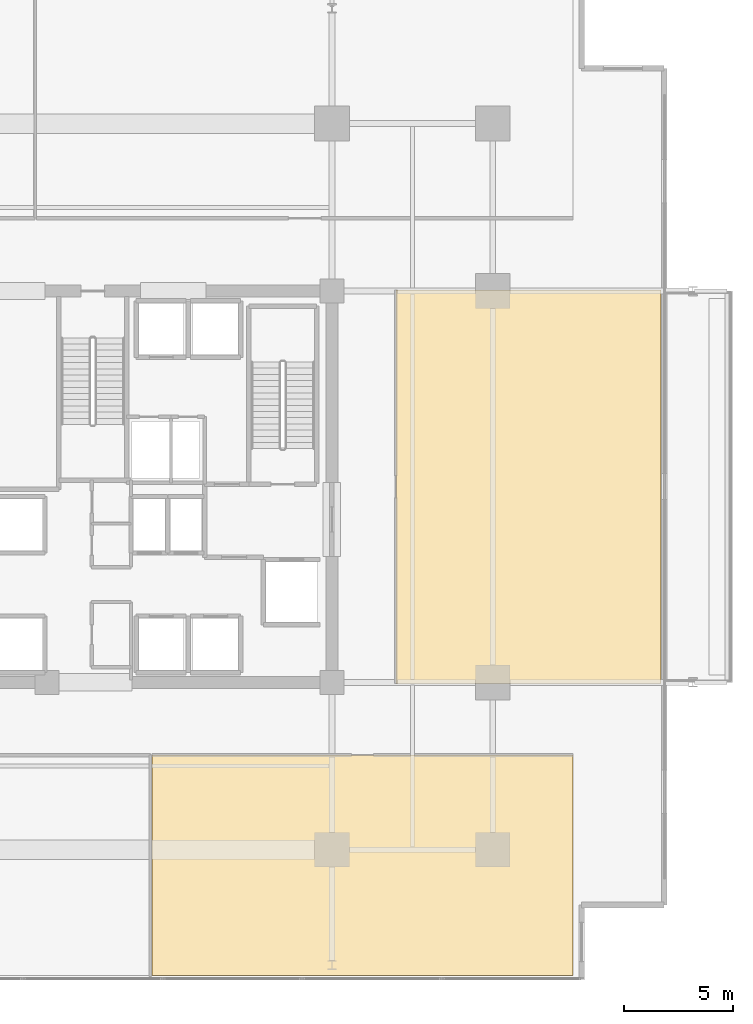
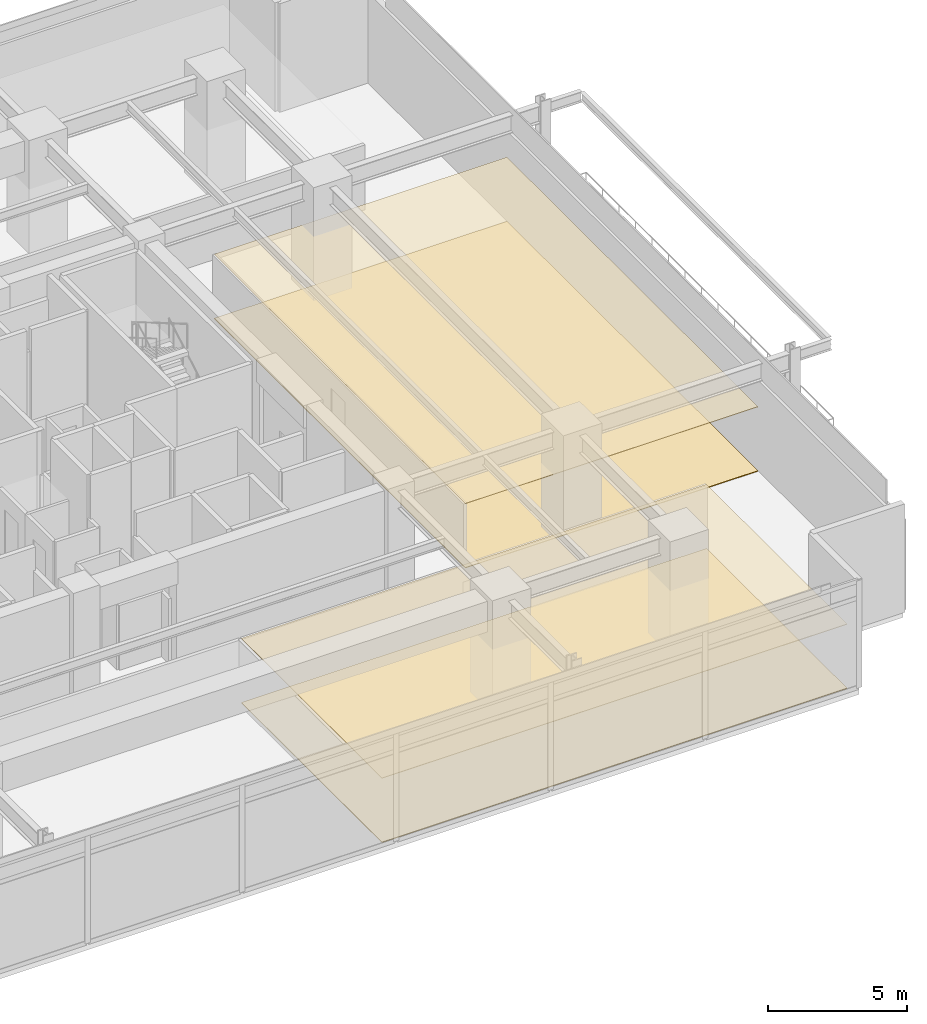
# One storey, part 18 of 20: 4 coverings.
"""IFC4 building model written with IfcOpenShell, lengths in metres."""

from ifc_helpers import new_model, si_unit, direction, frame, origin, place, context, subcontext, project, spatial, polyline, outline, extrude, material, layer, layer_set, type_object, element, save


model = new_model("IFC4")

# Units and contexts
model_context = context("Model", 3, precision=1e-05, world=origin(), true_north=direction((0.0, 1.0)))
body_context = subcontext(model_context, "Body", "Model", "MODEL_VIEW")
ifc_project = project(units=[si_unit("LENGTHUNIT", "METRE"), si_unit("AREAUNIT", "SQUARE_METRE"), si_unit("VOLUMEUNIT", "CUBIC_METRE"), si_unit("PLANEANGLEUNIT", "RADIAN"), si_unit("MASSUNIT", "GRAM", prefix="KILO")], contexts=[model_context])

# Site, building, storey
site_placement = place(None, origin())
site = spatial("IfcSite", under=ifc_project, at=site_placement, CompositionType="ELEMENT")
building_placement = place(site_placement, origin())
building = spatial("IfcBuilding", under=site, at=building_placement, Name="Kovane Verandah Tower", CompositionType="ELEMENT")
storey_placement = place(building_placement, frame((0.0, 0.0, 123.39990234375)))
storey = spatial("IfcBuildingStorey", under=building, at=storey_placement, Name="L28", CompositionType="ELEMENT", Elevation=123.39990234375)

# Coverings
ifc_material_1 = material(Name="Perforated Acoustic Mineral-Fibre Ceiling Tile", Category="gypsum")
ifc_layer_1 = layer(ifc_material_1, 0.02490234375)
ifc_layer_set_1 = layer_set([ifc_layer_1], Name="Perforated Acoustic Mineral-Fibre Ceiling Tile")
covering_type_1 = type_object("IfcCoveringType", Name="CV-CEIL-25", PredefinedType="CEILING", material=ifc_layer_set_1)
covering_1_placement = place(storey_placement, frame((0.0, 0.0, 2.8251953125)))
element("IfcCovering", 1, at=covering_1_placement, inside=storey, type_object=covering_type_1, Name="L28 Focus Studio S2 Acoustic Ceiling", PredefinedType="CEILING", context=body_context, shape_type="SweptSolid", body=[
    extrude(outline(polyline([(42.72021484375, 5.0107421875), (62.084716796875, 5.0107421875), (62.084716796875, 15.14990234375), (42.72021484375, 15.14990234375), (42.72021484375, 5.0107421875)])), origin(), (0.0, 0.0, 1.0), 0.02490234375),
])
covering_2_placement = place(storey_placement, frame((0.0, 0.0, 2.8251953125)))
element("IfcCovering", 2, at=covering_2_placement, inside=storey, type_object=covering_type_1, Name="L28 Document and Print Room E1 Acoustic Ceiling", PredefinedType="CEILING", context=body_context, shape_type="SweptSolid", body=[
    extrude(outline(polyline([(53.949951171875, 18.449951171875), (66.134521484375, 18.449951171875), (66.134521484375, 36.550048828125), (53.949951171875, 36.550048828125), (53.949951171875, 18.449951171875)])), origin(), (0.0, 0.0, 1.0), 0.02490234375),
])
ifc_material_2 = material(Name="Polished Terrazzo and Raised-Access Carpet Tile Finish", Category="concrete")
ifc_layer_2 = layer(ifc_material_2, 0.030029296875)
ifc_layer_set_2 = layer_set([ifc_layer_2], Name="Polished Terrazzo and Raised-Access Carpet Tile Finish")
covering_type_2 = type_object("IfcCoveringType", Name="CV-FLOR-30", PredefinedType="FLOORING", material=ifc_layer_set_2)
covering_3_placement = place(storey_placement, origin())
element("IfcCovering", 3, at=covering_3_placement, inside=storey, type_object=covering_type_2, Name="L28 Focus Studio S2 Floor Finish", PredefinedType="FLOORING", context=body_context, shape_type="SweptSolid", body=[
    extrude(outline(polyline([(42.72021484375, 5.0107421875), (62.084716796875, 5.0107421875), (62.084716796875, 15.14990234375), (42.72021484375, 15.14990234375), (42.72021484375, 5.0107421875)])), origin(), (0.0, 0.0, 1.0), 0.030029296875),
])
covering_4_placement = place(storey_placement, origin())
element("IfcCovering", 4, at=covering_4_placement, inside=storey, type_object=covering_type_2, Name="L28 Document and Print Room E1 Floor Finish", PredefinedType="FLOORING", context=body_context, shape_type="SweptSolid", body=[
    extrude(outline(polyline([(53.949951171875, 18.449951171875), (66.134521484375, 18.449951171875), (66.134521484375, 36.550048828125), (53.949951171875, 36.550048828125), (53.949951171875, 18.449951171875)])), origin(), (0.0, 0.0, 1.0), 0.030029296875),
])

save(model, "model.ifc")
